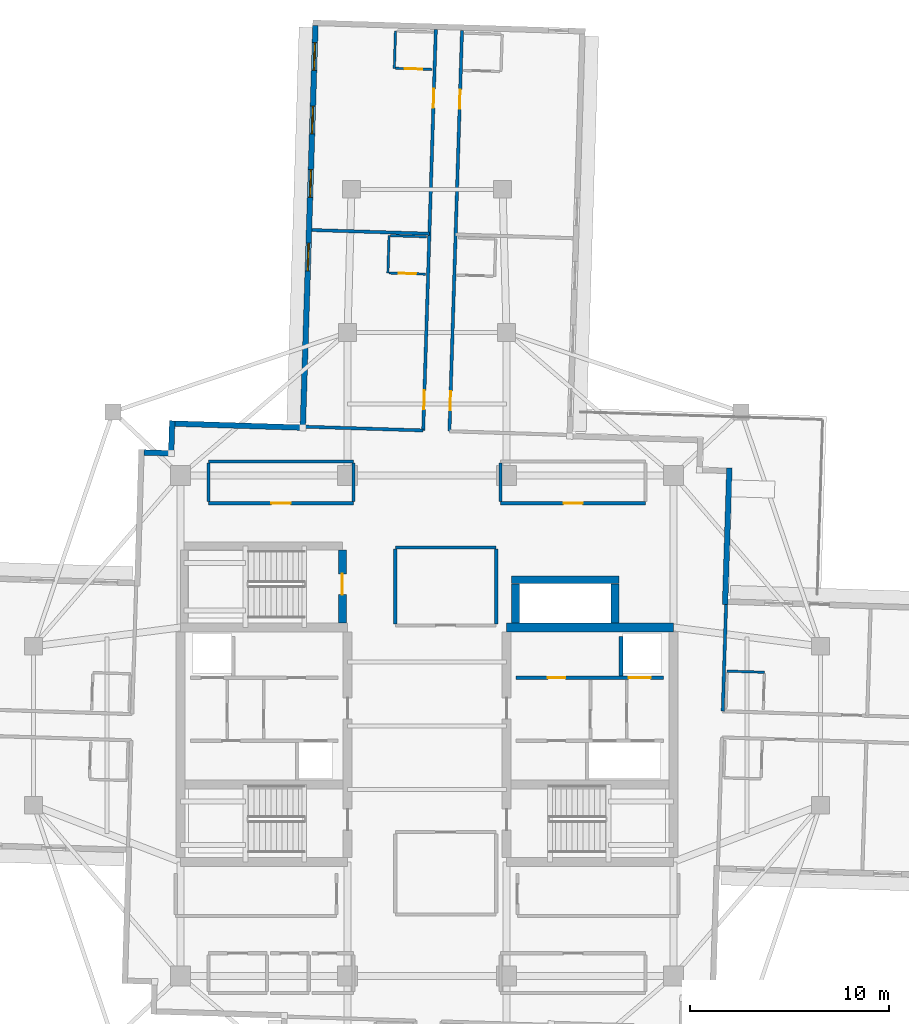
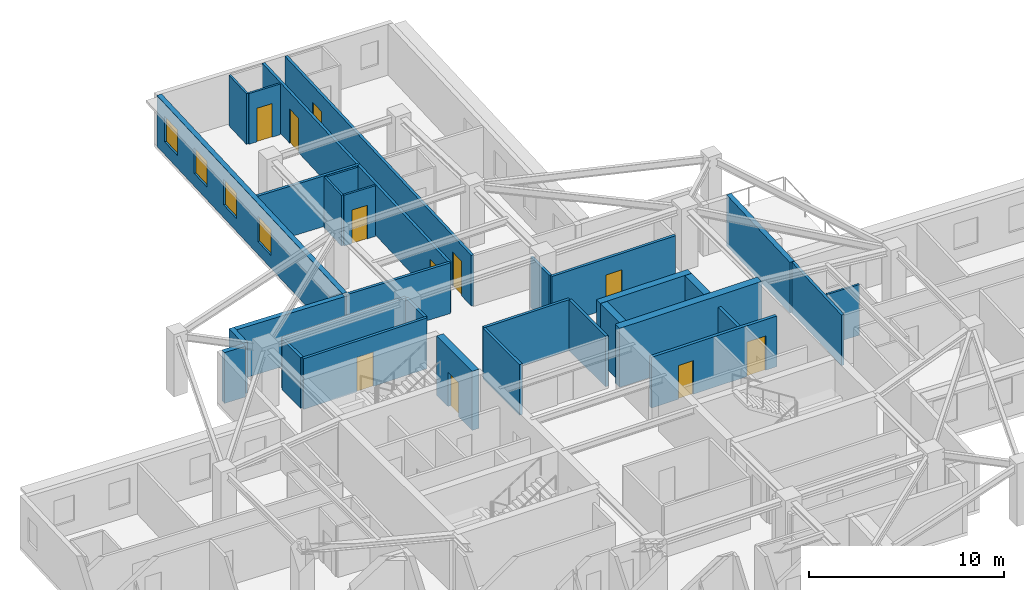
# One storey, part 7 of 12: 32 walls, 11 doors, 4 windows, 15 openings.
"""IFC4 building model written with IfcOpenShell, lengths in metres."""

from ifc_helpers import new_model, si_unit, direction, frame, frame_2d, origin, place, context, subcontext, project, spatial, rectangle, extrude, material, layer, layer_set, type_object, element, fill, save


model = new_model("IFC4")

# Units and contexts
model_context = context("Model", 3, precision=1e-05, world=origin(), true_north=direction((0.0, 1.0)))
body_context = subcontext(model_context, "Body", "Model", "MODEL_VIEW")
ifc_project = project(units=[si_unit("LENGTHUNIT", "METRE"), si_unit("AREAUNIT", "SQUARE_METRE"), si_unit("VOLUMEUNIT", "CUBIC_METRE"), si_unit("PLANEANGLEUNIT", "RADIAN"), si_unit("MASSUNIT", "GRAM", prefix="KILO")], contexts=[model_context])

# Site, building, storey
site_placement = place(None, origin())
site = spatial("IfcSite", under=ifc_project, at=site_placement, CompositionType="ELEMENT")
building_placement = place(site_placement, origin())
building = spatial("IfcBuilding", under=site, at=building_placement, Name="Qingluan Cross Belvedere", CompositionType="ELEMENT")
storey_placement = place(building_placement, frame((0.0, 0.0, 232.5)))
storey = spatial("IfcBuildingStorey", under=building, at=storey_placement, Name="L58", CompositionType="ELEMENT", Elevation=232.5)

# Wall
ifc_material_1 = material(Name="Concrete C50", Category="concrete")
ifc_layer_1 = layer(ifc_material_1, 0.449951171875, Name="CoreShearWall_450")
ifc_layer_set_1 = layer_set([ifc_layer_1], Name="Concrete C50")
wall_type_1 = type_object("IfcWallType", Name="CoreShearWall_450", PredefinedType="SHEAR", material=ifc_layer_set_1)
wall_1_placement = place(storey_placement, frame((4.0, 4.949951171875, 0.0), z_axis=(0.0, 0.0, 1.0), x_axis=(1.0, 0.0, 0.0)))
element("IfcWall", 1, at=wall_1_placement, inside=storey, type_object=wall_type_1, Name="Split core E shear wall L58-N", PredefinedType="SHEAR", context=body_context, shape_type="SweptSolid", body=[
    extrude(rectangle(XDim=8.39990234375, YDim=0.449951171875, at=frame_2d((4.199951171875, 0.0))), origin(), (0.0, 0.0, 1.0), 3.699951171875),
])

# Wall, opening, door
wall_2_placement = place(storey_placement, frame((-4.260009765625, 5.179931640625, 0.0), z_axis=(0.0, 0.0, 1.0), x_axis=(0.0, 1.0, 0.0)))
wall_2 = element("IfcWall", 2, at=wall_2_placement, inside=storey, type_object=wall_type_1, Name="Stair ST3 structural wall E L58", PredefinedType="SHEAR", context=body_context, shape_type="SweptSolid", body=[
    extrude(rectangle(XDim=3.655029296875, YDim=0.39990234375, at=frame_2d((1.82763671875, 0.0))), origin(), (0.0, 0.0, 1.0), 3.699951171875),
])
opening_1_placement = place(wall_2_placement, frame((1.419921875, 0.0, 0.0)))
opening_1 = element("IfcOpeningElement", 3, at=opening_1_placement, cuts=wall_2, Name="Opening FD-B11", PredefinedType="OPENING", context=body_context, shape_type="SweptSolid", body=[
    extrude(rectangle(XDim=1.050048828125, YDim=2.14990234375, at=frame_2d((0.52490234375, 1.074951171875))), frame((0.0, 0.2099609375, 0.0), z_axis=(0.0, -1.0, 0.0), x_axis=(1.0, 0.0, 0.0)), (0.0, 0.0, 1.0), 0.419921875),
])
ifc_material_2 = material(Name="Steel Class B smoke-seal fire door", Category="steel")
door_type_1 = type_object("IfcDoorType", Name="StairLobbyFireDoor_FDB", OperationType="NOTDEFINED", PredefinedType="DOOR", material=ifc_material_2)
door_1_placement = place(opening_1_placement, origin())
door_1 = element("IfcDoor", 4, at=door_1_placement, inside=storey, type_object=door_type_1, Name="Smoke-proof stair ST3 fire door L58", OperationType="SINGLE_SWING_RIGHT", OverallHeight=2.14990234375, OverallWidth=1.050048828125, PredefinedType="DOOR", context=body_context, shape_type="SweptSolid", body=[
    extrude(rectangle(XDim=1.050048828125, YDim=2.14990234375, at=frame_2d((0.52490234375, 1.074951171875))), frame((0.0, 0.02490234375, 0.0), z_axis=(0.0, -1.0, 0.0), x_axis=(1.0, 0.0, 0.0)), (0.0, 0.0, 1.0), 0.050048828125),
])
fill(opening_1, door_1)

# Walls
wall_3_placement = place(storey_placement, frame((4.449951171875, 5.179931640625, 0.0), z_axis=(0.0, 0.0, 1.0), x_axis=(0.0, 1.0, 0.0)))
element("IfcWall", 5, at=wall_3_placement, inside=storey, type_object=wall_type_1, Name="Express shuttle core wall L58-W", PredefinedType="SHEAR", context=body_context, shape_type="SweptSolid", body=[
    extrude(rectangle(XDim=1.9599609375, YDim=0.39990234375, at=frame_2d((0.97998046875, 0.0))), origin(), (0.0, 0.0, 1.0), 3.699951171875),
])
wall_4_placement = place(storey_placement, frame((4.25, 7.35009765625, 0.0), z_axis=(0.0, 0.0, 1.0), x_axis=(1.0, 0.0, 0.0)))
element("IfcWall", 6, at=wall_4_placement, inside=storey, type_object=wall_type_1, Name="Express shuttle core wall L58-N", PredefinedType="SHEAR", context=body_context, shape_type="SweptSolid", body=[
    extrude(rectangle(XDim=5.39990234375, YDim=0.39990234375, at=frame_2d((2.699951171875, 0.0))), origin(), (0.0, 0.0, 1.0), 3.699951171875),
])
wall_5_placement = place(storey_placement, frame((9.449951171875, 5.179931640625, 0.0), z_axis=(0.0, 0.0, 1.0), x_axis=(0.0, 1.0, 0.0)))
element("IfcWall", 7, at=wall_5_placement, inside=storey, type_object=wall_type_1, Name="Express shuttle core wall L58-E", PredefinedType="SHEAR", context=body_context, shape_type="SweptSolid", body=[
    extrude(rectangle(XDim=1.9599609375, YDim=0.39990234375, at=frame_2d((0.97998046875, 0.0))), origin(), (0.0, 0.0, 1.0), 3.699951171875),
])

# Wall, opening, door
ifc_material_3 = material(Name="Gypsum plasterboard on steel stud acoustic partition", Category="steel")
ifc_layer_2 = layer(ifc_material_3, 0.159912109375, Name="CorridorPartition_160")
ifc_layer_set_2 = layer_set([ifc_layer_2], Name="Gypsum plasterboard on steel stud acoustic partition")
wall_type_2 = type_object("IfcWallType", Name="CorridorPartition_160", PredefinedType="PARTITIONING", material=ifc_layer_set_2)
wall_6_placement = place(storey_placement, frame((-11.0, 11.199951171875, 0.0), z_axis=(0.0, 0.0, 1.0), x_axis=(1.0, 0.0, 0.0)))
wall_6 = element("IfcWall", 8, at=wall_6_placement, inside=storey, type_object=wall_type_2, Name="Partition L58:q_nw_occ:S", PredefinedType="PARTITIONING", context=body_context, shape_type="SweptSolid", body=[
    extrude(rectangle(XDim=7.300048828125, YDim=0.159912109375, at=frame_2d((3.64990234375, 0.0))), origin(), (0.0, 0.0, 1.0), 3.169921875),
])
opening_2_placement = place(wall_6_placement, frame((3.169921875, 0.0, 0.0)))
opening_2 = element("IfcOpeningElement", 9, at=opening_2_placement, cuts=wall_6, Name="Opening GD-10", PredefinedType="OPENING", context=body_context, shape_type="SweptSolid", body=[
    extrude(rectangle(XDim=0.9599609375, YDim=2.14990234375, at=frame_2d((0.47998046875, 1.074951171875))), frame((0.0, 0.08984375, 0.0), z_axis=(0.0, -1.0, 0.0), x_axis=(1.0, 0.0, 0.0)), (0.0, 0.0, 1.0), 0.179931640625),
])
ifc_material_4 = material(Name="Timber oak fire-rated acoustic guestroom door", Category="wood")
door_type_2 = type_object("IfcDoorType", Name="GuestEntryDoor_FD60", OperationType="NOTDEFINED", PredefinedType="DOOR", material=ifc_material_4)
door_2_placement = place(opening_2_placement, origin())
door_2 = element("IfcDoor", 10, at=door_2_placement, inside=storey, type_object=door_type_2, Name="Northwest sky reading salon L58 door", OperationType="SINGLE_SWING_RIGHT", OverallHeight=2.14990234375, OverallWidth=0.9599609375, PredefinedType="DOOR", context=body_context, shape_type="SweptSolid", body=[
    extrude(rectangle(XDim=0.9599609375, YDim=2.14990234375, at=frame_2d((0.47998046875, 1.074951171875))), frame((0.0, 0.02490234375, 0.0), z_axis=(0.0, -1.0, 0.0), x_axis=(1.0, 0.0, 0.0)), (0.0, 0.0, 1.0), 0.050048828125),
])
fill(opening_2, door_2)

# Walls
wall_7_placement = place(storey_placement, frame((-11.0, 13.300048828125, 0.0), z_axis=(0.0, 0.0, 1.0), x_axis=(1.0, 0.0, 0.0)))
element("IfcWall", 11, at=wall_7_placement, inside=storey, type_object=wall_type_2, Name="Partition L58:q_nw_occ:N", PredefinedType="PARTITIONING", context=body_context, shape_type="SweptSolid", body=[
    extrude(rectangle(XDim=7.300048828125, YDim=0.159912109375, at=frame_2d((3.64990234375, 0.0))), origin(), (0.0, 0.0, 1.0), 3.169921875),
])
for number, where, z_axis, x_axis, name in (
    (12, (-11.0, 11.284912109375, 0.0), (0.0, 0.0, 1.0), (0.0, 1.0, 0.0), "Partition L58:q_nw_occ:W"),
    (13, (-3.699951171875, 11.284912109375, 0.0), (0.0, 0.0, 1.0), (0.0, 1.0, 0.0), "Partition L58:q_nw_occ:E"),
):
    element("IfcWall", number, at=place(storey_placement, frame(where, z_axis=z_axis, x_axis=x_axis)), inside=storey, type_object=wall_type_2, Name=name, PredefinedType="PARTITIONING", context=body_context, shape_type="SweptSolid", body=[
        extrude(rectangle(XDim=1.93017578125, YDim=0.159912109375, at=frame_2d((0.965087890625, 0.0))), origin(), (0.0, 0.0, 1.0), 3.169921875),
    ])

# Wall, opening, door
wall_8_placement = place(storey_placement, frame((3.699951171875, 11.199951171875, 0.0), z_axis=(0.0, 0.0, 1.0), x_axis=(1.0, 0.0, 0.0)))
wall_8 = element("IfcWall", 14, at=wall_8_placement, inside=storey, type_object=wall_type_2, Name="Partition L58:q_ne:S", PredefinedType="PARTITIONING", context=body_context, shape_type="SweptSolid", body=[
    extrude(rectangle(XDim=7.300048828125, YDim=0.159912109375, at=frame_2d((3.64990234375, 0.0))), origin(), (0.0, 0.0, 1.0), 3.169921875),
])
opening_3_placement = place(wall_8_placement, frame((3.169921875, 0.0, 0.0)))
opening_3 = element("IfcOpeningElement", 15, at=opening_3_placement, cuts=wall_8, Name="Opening GD-10", PredefinedType="OPENING", context=body_context, shape_type="SweptSolid", body=[
    extrude(rectangle(XDim=0.9599609375, YDim=2.14990234375, at=frame_2d((0.47998046875, 1.074951171875))), frame((0.0, 0.08984375, 0.0), z_axis=(0.0, -1.0, 0.0), x_axis=(1.0, 0.0, 0.0)), (0.0, 0.0, 1.0), 0.179931640625),
])
door_3_placement = place(opening_3_placement, origin())
door_3 = element("IfcDoor", 16, at=door_3_placement, inside=storey, type_object=door_type_2, Name="Executive dining room L58 door", OperationType="SINGLE_SWING_LEFT", OverallHeight=2.14990234375, OverallWidth=0.9599609375, PredefinedType="DOOR", context=body_context, shape_type="SweptSolid", body=[
    extrude(rectangle(XDim=0.9599609375, YDim=2.14990234375, at=frame_2d((0.47998046875, 1.074951171875))), frame((0.0, 0.02490234375, 0.0), z_axis=(0.0, -1.0, 0.0), x_axis=(1.0, 0.0, 0.0)), (0.0, 0.0, 1.0), 0.050048828125),
])
fill(opening_3, door_3)

# Walls
wall_9_placement = place(storey_placement, frame((3.699951171875, 11.284912109375, 0.0), z_axis=(0.0, 0.0, 1.0), x_axis=(0.0, 1.0, 0.0)))
element("IfcWall", 17, at=wall_9_placement, inside=storey, type_object=wall_type_2, Name="Partition L58:q_ne:W", PredefinedType="PARTITIONING", context=body_context, shape_type="SweptSolid", body=[
    extrude(rectangle(XDim=1.93017578125, YDim=0.159912109375, at=frame_2d((0.965087890625, 0.0))), origin(), (0.0, 0.0, 1.0), 3.169921875),
])
wall_10_placement = place(storey_placement, frame((-1.60009765625, 8.97998046875, 0.0), z_axis=(0.0, 0.0, 1.0), x_axis=(1.0, 0.0, 0.0)))
element("IfcWall", 18, at=wall_10_placement, inside=storey, type_object=wall_type_2, Name="Partition L58:sky_tea_alcove:N", PredefinedType="PARTITIONING", context=body_context, shape_type="SweptSolid", body=[
    extrude(rectangle(XDim=5.080078125, YDim=0.159912109375, at=frame_2d((2.5400390625, 0.0))), origin(), (0.0, 0.0, 1.0), 3.169921875),
])
for number, where, z_axis, x_axis, name in (
    (19, (-1.60009765625, 5.135009765625, 0.0), (0.0, 0.0, 1.0), (0.0, 1.0, 0.0), "Partition L58:sky_tea_alcove:W"),
    (20, (3.47998046875, 5.135009765625, 0.0), (0.0, 0.0, 1.0), (0.0, 1.0, 0.0), "Partition L58:sky_tea_alcove:E"),
):
    element("IfcWall", number, at=place(storey_placement, frame(where, z_axis=z_axis, x_axis=x_axis)), inside=storey, type_object=wall_type_2, Name=name, PredefinedType="PARTITIONING", context=body_context, shape_type="SweptSolid", body=[
        extrude(rectangle(XDim=3.760009765625, YDim=0.159912109375, at=frame_2d((1.8798828125, 0.0))), origin(), (0.0, 0.0, 1.0), 3.169921875),
    ])
wall_11_placement = place(storey_placement, frame((14.88037109375, 0.73291015625, 0.0), z_axis=(0.0, 0.0, 1.0), x_axis=(0.031448993216, 0.999505358078, 0.0)))
element("IfcWall", 21, at=wall_11_placement, inside=storey, type_object=wall_type_2, Name="Partition L58:E:s0", PredefinedType="PARTITIONING", context=body_context, shape_type="SweptSolid", body=[
    extrude(rectangle(XDim=5.3720703125, YDim=0.159912109375, at=frame_2d((2.68603515625, 0.0))), origin(), (0.0, 0.0, 1.0), 3.169921875),
])

# Wall, openings, doors
wall_12_placement = place(storey_placement, frame((1.126220703125, 14.822021484375, 0.0), z_axis=(0.0, 0.0, 1.0), x_axis=(0.031403945422, 0.99950677447, 0.0)))
wall_12 = element("IfcWall", 22, at=wall_12_placement, inside=storey, type_object=wall_type_2, Name="Partition L58:N:c0", PredefinedType="PARTITIONING", context=body_context, shape_type="SweptSolid", body=[
    extrude(rectangle(XDim=20.181884765625, YDim=0.159912109375, at=frame_2d((10.0908203125, 0.0))), origin(), (0.0, 0.0, 1.0), 3.169921875),
])
opening_4_placement = place(wall_12_placement, frame((1.06494140625, 0.0, 0.0)))
opening_4 = element("IfcOpeningElement", 23, at=opening_4_placement, cuts=wall_12, Name="Opening GD-10", PredefinedType="OPENING", context=body_context, shape_type="SweptSolid", body=[
    extrude(rectangle(XDim=0.9599609375, YDim=2.14990234375, at=frame_2d((0.47998046875, 1.074951171875))), frame((0.0, 0.08984375, 0.0), z_axis=(0.0, -1.0, 0.0), x_axis=(1.0, 0.0, 0.0)), (0.0, 0.0, 1.0), 0.179931640625),
])
opening_5_placement = place(wall_12_placement, frame((16.239990234375, 0.0, 0.0)))
opening_5 = element("IfcOpeningElement", 24, at=opening_5_placement, cuts=wall_12, Name="Opening GD-10", PredefinedType="OPENING", context=body_context, shape_type="SweptSolid", body=[
    extrude(rectangle(XDim=0.9599609375, YDim=2.14990234375, at=frame_2d((0.47998046875, 1.074951171875))), frame((0.0, 0.08984375, 0.0), z_axis=(0.0, -1.0, 0.0), x_axis=(1.0, 0.0, 0.0)), (0.0, 0.0, 1.0), 0.179931640625),
])
door_4_placement = place(opening_4_placement, origin())
door_4 = element("IfcDoor", 25, at=door_4_placement, inside=storey, type_object=door_type_2, Name="Guest entry fire door 5809", OperationType="SINGLE_SWING_RIGHT", OverallHeight=2.14990234375, OverallWidth=0.9599609375, PredefinedType="DOOR", context=body_context, shape_type="SweptSolid", body=[
    extrude(rectangle(XDim=0.9599609375, YDim=2.14990234375, at=frame_2d((0.47998046875, 1.074951171875))), frame((0.0, 0.02490234375, 0.0), z_axis=(0.0, -1.0, 0.0), x_axis=(1.0, 0.0, 0.0)), (0.0, 0.0, 1.0), 0.050048828125),
])
fill(opening_4, door_4)
door_5_placement = place(opening_5_placement, origin())
door_5 = element("IfcDoor", 26, at=door_5_placement, inside=storey, type_object=door_type_2, Name="Guest entry fire door 5810", OperationType="SINGLE_SWING_RIGHT", OverallHeight=2.14990234375, OverallWidth=0.9599609375, PredefinedType="DOOR", context=body_context, shape_type="SweptSolid", body=[
    extrude(rectangle(XDim=0.9599609375, YDim=2.14990234375, at=frame_2d((0.47998046875, 1.074951171875))), frame((0.0, 0.02490234375, 0.0), z_axis=(0.0, -1.0, 0.0), x_axis=(1.0, 0.0, 0.0)), (0.0, 0.0, 1.0), 0.050048828125),
])
fill(opening_5, door_5)

wall_13_placement = place(storey_placement, frame((-0.193115234375, 14.86328125, 0.0), z_axis=(0.0, 0.0, 1.0), x_axis=(0.031415650687, 0.999506406629, 0.0)))
wall_13 = element("IfcWall", 27, at=wall_13_placement, inside=storey, type_object=wall_type_2, Name="Partition L58:N:c1", PredefinedType="PARTITIONING", context=body_context, shape_type="SweptSolid", body=[
    extrude(rectangle(XDim=20.18212890625, YDim=0.159912109375, at=frame_2d((10.091064453125, 0.0))), origin(), (0.0, 0.0, 1.0), 3.169921875),
])
opening_6_placement = place(wall_13_placement, frame((1.06494140625, 0.0, 0.0)))
opening_6 = element("IfcOpeningElement", 28, at=opening_6_placement, cuts=wall_13, Name="Opening GD-10", PredefinedType="OPENING", context=body_context, shape_type="SweptSolid", body=[
    extrude(rectangle(XDim=0.9599609375, YDim=2.14990234375, at=frame_2d((0.47998046875, 1.074951171875))), frame((0.0, 0.08984375, 0.0), z_axis=(0.0, -1.0, 0.0), x_axis=(1.0, 0.0, 0.0)), (0.0, 0.0, 1.0), 0.179931640625),
])
opening_7_placement = place(wall_13_placement, frame((16.239990234375, 0.0, 0.0)))
opening_7 = element("IfcOpeningElement", 29, at=opening_7_placement, cuts=wall_13, Name="Opening GD-10", PredefinedType="OPENING", context=body_context, shape_type="SweptSolid", body=[
    extrude(rectangle(XDim=0.9599609375, YDim=2.14990234375, at=frame_2d((0.47998046875, 1.074951171875))), frame((0.0, 0.08984375, 0.0), z_axis=(0.0, -1.0, 0.0), x_axis=(1.0, 0.0, 0.0)), (0.0, 0.0, 1.0), 0.179931640625),
])
door_6_placement = place(opening_6_placement, origin())
door_6 = element("IfcDoor", 30, at=door_6_placement, inside=storey, type_object=door_type_2, Name="Guest entry fire door 5811", OperationType="SINGLE_SWING_RIGHT", OverallHeight=2.14990234375, OverallWidth=0.9599609375, PredefinedType="DOOR", context=body_context, shape_type="SweptSolid", body=[
    extrude(rectangle(XDim=0.9599609375, YDim=2.14990234375, at=frame_2d((0.47998046875, 1.074951171875))), frame((0.0, 0.02490234375, 0.0), z_axis=(0.0, -1.0, 0.0), x_axis=(1.0, 0.0, 0.0)), (0.0, 0.0, 1.0), 0.050048828125),
])
fill(opening_6, door_6)
door_7_placement = place(opening_7_placement, origin())
door_7 = element("IfcDoor", 31, at=door_7_placement, inside=storey, type_object=door_type_2, Name="Guest entry fire door 5812", OperationType="SINGLE_SWING_RIGHT", OverallHeight=2.14990234375, OverallWidth=0.9599609375, PredefinedType="DOOR", context=body_context, shape_type="SweptSolid", body=[
    extrude(rectangle(XDim=0.9599609375, YDim=2.14990234375, at=frame_2d((0.47998046875, 1.074951171875))), frame((0.0, 0.02490234375, 0.0), z_axis=(0.0, -1.0, 0.0), x_axis=(1.0, 0.0, 0.0)), (0.0, 0.0, 1.0), 0.050048828125),
])
fill(opening_7, door_7)

# Walls
wall_14_placement = place(storey_placement, frame((-0.193115234375, 14.86328125, 0.0), z_axis=(0.0, 0.0, 1.0), x_axis=(-0.999506162708, 0.031423410194, 0.0)))
element("IfcWall", 32, at=wall_14_placement, inside=storey, type_object=wall_type_2, Name="Partition L58:N:s1", PredefinedType="PARTITIONING", context=body_context, shape_type="SweptSolid", body=[
    extrude(rectangle(XDim=6.06005859375, YDim=0.159912109375, at=frame_2d((3.030029296875, 0.0))), origin(), (0.0, 0.0, 1.0), 3.169921875),
])
wall_15_placement = place(storey_placement, frame((0.117919921875, 24.763427734375, 0.0), z_axis=(0.0, 0.0, 1.0), x_axis=(-0.999506095269, 0.031425555218, 0.0)))
element("IfcWall", 33, at=wall_15_placement, inside=storey, type_object=wall_type_2, Name="Partition L58:N:d1_0", PredefinedType="PARTITIONING", context=body_context, shape_type="SweptSolid", body=[
    extrude(rectangle(XDim=5.912109375, YDim=0.159912109375, at=frame_2d((2.9560546875, 0.0))), origin(), (0.0, 0.0, 1.0), 3.169921875),
])
ifc_material_5 = material(Name="Moisture-resistant gypsum board lining")
ifc_layer_3 = layer(ifc_material_5, 0.1201171875, Name="EnsuiteWetPartition_120")
ifc_layer_set_3 = layer_set([ifc_layer_3], Name="Moisture-resistant gypsum board lining")
wall_type_3 = type_object("IfcWallType", Name="EnsuiteWetPartition_120", PredefinedType="PARTITIONING", material=ifc_layer_set_3)
wall_16_placement = place(storey_placement, frame((15.10400390625, 2.751953125, 0.0), z_axis=(0.0, 0.0, 1.0), x_axis=(0.999505975261, -0.031429371883, 0.0)))
element("IfcWall", 34, at=wall_16_placement, inside=storey, type_object=wall_type_3, Name="Partition L58:E:bn0_0", PredefinedType="PARTITIONING", context=body_context, shape_type="SweptSolid", body=[
    extrude(rectangle(XDim=1.8798828125, YDim=0.1201171875, at=frame_2d((0.93994140625, 0.0))), origin(), (0.0, 0.0, 1.0), 3.169921875),
])

# Wall, opening, door
wall_17_placement = place(storey_placement, frame((-1.9052734375, 22.7861328125, 0.0), z_axis=(0.0, 0.0, 1.0), x_axis=(0.999507221803, -0.031389704724, 0.0)))
wall_17 = element("IfcWall", 35, at=wall_17_placement, inside=storey, type_object=wall_type_3, Name="Partition L58:N:bs1_0", PredefinedType="PARTITIONING", context=body_context, shape_type="SweptSolid", body=[
    extrude(rectangle(XDim=1.820068359375, YDim=0.1201171875, at=frame_2d((0.91015625, 0.0))), origin(), (0.0, 0.0, 1.0), 3.169921875),
])
opening_8_placement = place(wall_17_placement, frame((0.469970703125, 0.0, 0.0)))
opening_8 = element("IfcOpeningElement", 36, at=opening_8_placement, cuts=wall_17, Name="Opening BD-09", PredefinedType="OPENING", context=body_context, shape_type="SweptSolid", body=[
    extrude(rectangle(XDim=0.8798828125, YDim=2.10009765625, at=frame_2d((0.43994140625, 1.050048828125))), frame((0.0, 0.070068359375, 0.0), z_axis=(0.0, -1.0, 0.0), x_axis=(1.0, 0.0, 0.0)), (0.0, 0.0, 1.0), 0.14013671875),
])
ifc_material_6 = material(Name="Moisture-sealed timber en-suite door", Category="wood")
door_type_3 = type_object("IfcDoorType", Name="BathroomDoor_880", OperationType="NOTDEFINED", PredefinedType="DOOR", material=ifc_material_6)
door_8_placement = place(opening_8_placement, origin())
door_8 = element("IfcDoor", 37, at=door_8_placement, inside=storey, type_object=door_type_3, Name="Bathroom door 5811", OperationType="SINGLE_SWING_LEFT", OverallHeight=2.10009765625, OverallWidth=0.8798828125, PredefinedType="DOOR", context=body_context, shape_type="SweptSolid", body=[
    extrude(rectangle(XDim=0.8798828125, YDim=2.10009765625, at=frame_2d((0.43994140625, 1.050048828125))), frame((0.0, 0.02490234375, 0.0), z_axis=(0.0, -1.0, 0.0), x_axis=(1.0, 0.0, 0.0)), (0.0, 0.0, 1.0), 0.050048828125),
])
fill(opening_8, door_8)

# Walls
wall_18_placement = place(storey_placement, frame((-1.84619140625, 24.665283203125, 0.0), z_axis=(0.0, 0.0, 1.0), x_axis=(0.999503004171, -0.03152371574, 0.0)))
element("IfcWall", 38, at=wall_18_placement, inside=storey, type_object=wall_type_3, Name="Partition L58:N:bw1_0", PredefinedType="PARTITIONING", context=body_context, shape_type="SweptSolid", body=[
    extrude(rectangle(XDim=1.820068359375, YDim=0.1201171875, at=frame_2d((0.91015625, 0.0))), origin(), (0.0, 0.0, 1.0), 3.169921875),
])
wall_19_placement = place(storey_placement, frame((-1.97021484375, 22.7880859375, 0.0), z_axis=(0.0, 0.0, 1.0), x_axis=(0.031425292588, 0.999506103526, 0.0)))
element("IfcWall", 39, at=wall_19_placement, inside=storey, type_object=wall_type_3, Name="Partition L58:N:bc1_0", PredefinedType="PARTITIONING", context=body_context, shape_type="SweptSolid", body=[
    extrude(rectangle(XDim=1.880126953125, YDim=0.1201171875, at=frame_2d((0.93994140625, 0.0))), origin(), (0.0, 0.0, 1.0), 3.169921875),
])

# Wall, opening, door
wall_20_placement = place(storey_placement, frame((-1.58154296875, 33.0859375, 0.0), z_axis=(0.0, 0.0, 1.0), x_axis=(0.999507221803, -0.031389704724, 0.0)))
wall_20 = element("IfcWall", 40, at=wall_20_placement, inside=storey, type_object=wall_type_3, Name="Partition L58:N:bs1_1", PredefinedType="PARTITIONING", context=body_context, shape_type="SweptSolid", body=[
    extrude(rectangle(XDim=1.820068359375, YDim=0.1201171875, at=frame_2d((0.91015625, 0.0))), origin(), (0.0, 0.0, 1.0), 3.169921875),
])
opening_9_placement = place(wall_20_placement, frame((0.469970703125, 0.0, 0.0)))
opening_9 = element("IfcOpeningElement", 41, at=opening_9_placement, cuts=wall_20, Name="Opening BD-09", PredefinedType="OPENING", context=body_context, shape_type="SweptSolid", body=[
    extrude(rectangle(XDim=0.8798828125, YDim=2.10009765625, at=frame_2d((0.43994140625, 1.050048828125))), frame((0.0, 0.070068359375, 0.0), z_axis=(0.0, -1.0, 0.0), x_axis=(1.0, 0.0, 0.0)), (0.0, 0.0, 1.0), 0.14013671875),
])
door_9_placement = place(opening_9_placement, origin())
door_9 = element("IfcDoor", 42, at=door_9_placement, inside=storey, type_object=door_type_3, Name="Bathroom door 5812", OperationType="SINGLE_SWING_LEFT", OverallHeight=2.10009765625, OverallWidth=0.8798828125, PredefinedType="DOOR", context=body_context, shape_type="SweptSolid", body=[
    extrude(rectangle(XDim=0.8798828125, YDim=2.10009765625, at=frame_2d((0.43994140625, 1.050048828125))), frame((0.0, 0.02490234375, 0.0), z_axis=(0.0, -1.0, 0.0), x_axis=(1.0, 0.0, 0.0)), (0.0, 0.0, 1.0), 0.050048828125),
])
fill(opening_9, door_9)

# Wall
wall_21_placement = place(storey_placement, frame((-1.646484375, 33.087890625, 0.0), z_axis=(0.0, 0.0, 1.0), x_axis=(0.031425292588, 0.999506103526, 0.0)))
element("IfcWall", 43, at=wall_21_placement, inside=storey, type_object=wall_type_3, Name="Partition L58:N:bc1_1", PredefinedType="PARTITIONING", context=body_context, shape_type="SweptSolid", body=[
    extrude(rectangle(XDim=1.880126953125, YDim=0.1201171875, at=frame_2d((0.93994140625, 0.0))), origin(), (0.0, 0.0, 1.0), 3.169921875),
])

# Wall, openings, windows
ifc_material_7 = material(Name="Precast concrete C45", Category="concrete")
ifc_layer_4 = layer(ifc_material_7, 0.280029296875, Name="PrecastFacadeWall_280")
ifc_layer_set_4 = layer_set([ifc_layer_4], Name="Precast concrete C45")
wall_type_4 = type_object("IfcWallType", Name="PrecastFacadeWall_280", PredefinedType="STANDARD", material=ifc_layer_set_4)
wall_22_placement = place(storey_placement, frame((-5.6162109375, 35.23388671875, 0.0), z_axis=(0.0, 0.0, 1.0), x_axis=(-0.031398187845, -0.999506955354, 0.0)))
wall_22 = element("IfcWall", 44, at=wall_22_placement, inside=storey, type_object=wall_type_4, Name="Facade wall L58-NB", PredefinedType="STANDARD", context=body_context, shape_type="SweptSolid", body=[
    extrude(rectangle(XDim=20.10009765625, YDim=0.280029296875, at=frame_2d((10.050048828125, 0.0))), origin(), (0.0, 0.0, 1.0), 3.179931640625),
])
opening_10_placement = place(wall_22_placement, frame((0.85009765625, 0.0, 0.800048828125)))
opening_10 = element("IfcOpeningElement", 45, at=opening_10_placement, cuts=wall_22, Name="Opening W-01", PredefinedType="OPENING", context=body_context, shape_type="SweptSolid", body=[
    extrude(rectangle(XDim=1.39990234375, YDim=1.60009765625, at=frame_2d((0.699951171875, 0.800048828125))), frame((0.0, 0.14990234375, 0.0), z_axis=(0.0, -1.0, 0.0), x_axis=(1.0, 0.0, 0.0)), (0.0, 0.0, 1.0), 0.300048828125),
])
opening_11_placement = place(wall_22_placement, frame((4.050048828125, 0.0, 0.800048828125)))
opening_11 = element("IfcOpeningElement", 46, at=opening_11_placement, cuts=wall_22, Name="Opening W-01", PredefinedType="OPENING", context=body_context, shape_type="SweptSolid", body=[
    extrude(rectangle(XDim=1.39990234375, YDim=1.60009765625, at=frame_2d((0.699951171875, 0.800048828125))), frame((0.0, 0.14990234375, 0.0), z_axis=(0.0, -1.0, 0.0), x_axis=(1.0, 0.0, 0.0)), (0.0, 0.0, 1.0), 0.300048828125),
])
opening_12_placement = place(wall_22_placement, frame((7.25, 0.0, 0.800048828125)))
opening_12 = element("IfcOpeningElement", 47, at=opening_12_placement, cuts=wall_22, Name="Opening W-01", PredefinedType="OPENING", context=body_context, shape_type="SweptSolid", body=[
    extrude(rectangle(XDim=1.39990234375, YDim=1.60009765625, at=frame_2d((0.699951171875, 0.800048828125))), frame((0.0, 0.14990234375, 0.0), z_axis=(0.0, -1.0, 0.0), x_axis=(1.0, 0.0, 0.0)), (0.0, 0.0, 1.0), 0.300048828125),
])
opening_13_placement = place(wall_22_placement, frame((10.949951171875, 0.0, 0.800048828125)))
opening_13 = element("IfcOpeningElement", 48, at=opening_13_placement, cuts=wall_22, Name="Opening W-01", PredefinedType="OPENING", context=body_context, shape_type="SweptSolid", body=[
    extrude(rectangle(XDim=1.39990234375, YDim=1.60009765625, at=frame_2d((0.699951171875, 0.800048828125))), frame((0.0, 0.14990234375, 0.0), z_axis=(0.0, -1.0, 0.0), x_axis=(1.0, 0.0, 0.0)), (0.0, 0.0, 1.0), 0.300048828125),
])
ifc_material_8 = material(Name="Thermally broken triple Low-E glass in aluminium frame", Category="aluminium")
window_type = type_object("IfcWindowType", Name="TriRibbonWin_1400x1600", PartitioningType="SINGLE_PANEL", PredefinedType="WINDOW", material=ifc_material_8)
window_1_placement = place(opening_10_placement, origin())
window_1 = element("IfcWindow", 49, at=window_1_placement, inside=storey, type_object=window_type, Name="Ribbon window L58-NB-1", OverallHeight=1.60009765625, OverallWidth=1.39990234375, PartitioningType="SINGLE_PANEL", PredefinedType="WINDOW", context=body_context, shape_type="SweptSolid", body=[
    extrude(rectangle(XDim=1.39990234375, YDim=1.60009765625, at=frame_2d((0.699951171875, 0.800048828125))), frame((0.0, 0.030029296875, 0.0), z_axis=(0.0, -1.0, 0.0), x_axis=(1.0, 0.0, 0.0)), (0.0, 0.0, 1.0), 0.06005859375),
])
fill(opening_10, window_1)
window_2_placement = place(opening_11_placement, origin())
window_2 = element("IfcWindow", 50, at=window_2_placement, inside=storey, type_object=window_type, Name="Ribbon window L58-NB-2", OverallHeight=1.60009765625, OverallWidth=1.39990234375, PartitioningType="SINGLE_PANEL", PredefinedType="WINDOW", context=body_context, shape_type="SweptSolid", body=[
    extrude(rectangle(XDim=1.39990234375, YDim=1.60009765625, at=frame_2d((0.699951171875, 0.800048828125))), frame((0.0, 0.030029296875, 0.0), z_axis=(0.0, -1.0, 0.0), x_axis=(1.0, 0.0, 0.0)), (0.0, 0.0, 1.0), 0.06005859375),
])
fill(opening_11, window_2)
window_3_placement = place(opening_12_placement, origin())
window_3 = element("IfcWindow", 51, at=window_3_placement, inside=storey, type_object=window_type, Name="Ribbon window L58-NB-3", OverallHeight=1.60009765625, OverallWidth=1.39990234375, PartitioningType="SINGLE_PANEL", PredefinedType="WINDOW", context=body_context, shape_type="SweptSolid", body=[
    extrude(rectangle(XDim=1.39990234375, YDim=1.60009765625, at=frame_2d((0.699951171875, 0.800048828125))), frame((0.0, 0.030029296875, 0.0), z_axis=(0.0, -1.0, 0.0), x_axis=(1.0, 0.0, 0.0)), (0.0, 0.0, 1.0), 0.06005859375),
])
fill(opening_12, window_3)
window_4_placement = place(opening_13_placement, origin())
window_4 = element("IfcWindow", 52, at=window_4_placement, inside=storey, type_object=window_type, Name="Ribbon window L58-NB-4", OverallHeight=1.60009765625, OverallWidth=1.39990234375, PartitioningType="SINGLE_PANEL", PredefinedType="WINDOW", context=body_context, shape_type="SweptSolid", body=[
    extrude(rectangle(XDim=1.39990234375, YDim=1.60009765625, at=frame_2d((0.699951171875, 0.800048828125))), frame((0.0, 0.030029296875, 0.0), z_axis=(0.0, -1.0, 0.0), x_axis=(1.0, 0.0, 0.0)), (0.0, 0.0, 1.0), 0.06005859375),
])
fill(opening_13, window_4)

# Walls
wall_23_placement = place(storey_placement, frame((14.99951171875, 6.11181640625, 0.0), z_axis=(0.0, 0.0, 1.0), x_axis=(0.031389189386, 0.999507237988, 0.0)))
element("IfcWall", 53, at=wall_23_placement, inside=storey, type_object=wall_type_4, Name="Corner wall L58-NE1", PredefinedType="STANDARD", context=body_context, shape_type="SweptSolid", body=[
    extrude(rectangle(XDim=6.860107421875, YDim=0.280029296875, at=frame_2d((3.43017578125, 0.0))), origin(), (0.0, 0.0, 1.0), 3.179931640625),
])
wall_24_placement = place(storey_placement, frame((-14.235107421875, 13.75390625, 0.0), z_axis=(0.0, 0.0, 1.0), x_axis=(0.999506398264, -0.031415916822, 0.0)))
element("IfcWall", 54, at=wall_24_placement, inside=storey, type_object=wall_type_4, Name="Corner wall L58-NW2", PredefinedType="STANDARD", context=body_context, shape_type="SweptSolid", body=[
    extrude(rectangle(XDim=1.219970703125, YDim=0.280029296875, at=frame_2d((0.60986328125, 0.0))), origin(), (0.0, 0.0, 1.0), 3.179931640625),
])
wall_25_placement = place(storey_placement, frame((-12.871337890625, 13.85107421875, 0.0), z_axis=(0.0, 0.0, 1.0), x_axis=(0.031412596484, 0.999506502621, 0.0)))
element("IfcWall", 55, at=wall_25_placement, inside=storey, type_object=wall_type_4, Name="Corner wall L58-NW3", PredefinedType="STANDARD", context=body_context, shape_type="SweptSolid", body=[
    extrude(rectangle(XDim=1.5, YDim=0.280029296875, at=frame_2d((0.75, 0.0))), origin(), (0.0, 0.0, 1.0), 3.179931640625),
])
wall_26_placement = place(storey_placement, frame((-12.688720703125, 15.2060546875, 0.0), z_axis=(0.0, 0.0, 1.0), x_axis=(0.999507262922, -0.031388395416, 0.0)))
element("IfcWall", 56, at=wall_26_placement, inside=storey, type_object=wall_type_4, Name="Corner wall L58-NW4", PredefinedType="STANDARD", context=body_context, shape_type="SweptSolid", body=[
    extrude(rectangle(XDim=6.30029296875, YDim=0.280029296875, at=frame_2d((3.150146484375, 0.0))), origin(), (0.0, 0.0, 1.0), 3.179931640625),
])

# Wall, openings, doors
ifc_material_9 = material(Name="Concrete C40", Category="concrete")
ifc_layer_5 = layer(ifc_material_9, 0.219970703125, Name="ShaftEnclosureWall_250")
ifc_layer_set_5 = layer_set([ifc_layer_5], Name="Concrete C40")
wall_type_5 = type_object("IfcWallType", Name="ShaftEnclosureWall_250", PredefinedType="SOLIDWALL", material=ifc_layer_set_5)
wall_27_placement = place(storey_placement, frame((4.47998046875, 2.409912109375, 0.0), z_axis=(0.0, 0.0, 1.0), x_axis=(1.0, 0.0, 0.0)))
wall_27 = element("IfcWall", 57, at=wall_27_placement, inside=storey, type_object=wall_type_5, Name="Core-E north hoistway wall L58", PredefinedType="SOLIDWALL", context=body_context, shape_type="SweptSolid", body=[
    extrude(rectangle(XDim=7.419921875, YDim=0.179931640625, at=frame_2d((3.7099609375, 0.0))), origin(), (0.0, 0.0, 1.0), 3.169921875),
])
opening_14_placement = place(wall_27_placement, frame((5.669921875, 0.0, 0.0)))
opening_14 = element("IfcOpeningElement", 58, at=opening_14_placement, cuts=wall_27, Name="Opening LD-11", PredefinedType="OPENING", context=body_context, shape_type="SweptSolid", body=[
    extrude(rectangle(XDim=1.10009765625, YDim=2.14990234375, at=frame_2d((0.550048828125, 1.074951171875))), frame((0.0, 0.099853515625, 0.0), z_axis=(0.0, -1.0, 0.0), x_axis=(1.0, 0.0, 0.0)), (0.0, 0.0, 1.0), 0.199951171875),
])
opening_15_placement = place(wall_27_placement, frame((1.60009765625, 0.0, 0.0)))
opening_15 = element("IfcOpeningElement", 59, at=opening_15_placement, cuts=wall_27, Name="Opening FD-B10", PredefinedType="OPENING", context=body_context, shape_type="SweptSolid", body=[
    extrude(rectangle(XDim=0.8798828125, YDim=2.10009765625, at=frame_2d((0.43994140625, 1.050048828125))), frame((0.0, 0.099853515625, 0.0), z_axis=(0.0, -1.0, 0.0), x_axis=(1.0, 0.0, 0.0)), (0.0, 0.0, 1.0), 0.199951171875),
])
ifc_material_10 = material(Name="Brushed stainless steel centre-opening lift landing door", Category="steel")
door_type_4 = type_object("IfcDoorType", Name="LiftLandingSlidingDoor_1100", OperationType="DOUBLE_DOOR_SLIDING", PredefinedType="DOOR", material=ifc_material_10)
door_10_placement = place(opening_14_placement, origin())
door_10 = element("IfcDoor", 60, at=door_10_placement, inside=storey, type_object=door_type_4, Name="Lift landing sliding door FL2 L58", OperationType="DOUBLE_DOOR_SLIDING", OverallHeight=2.14990234375, OverallWidth=1.10009765625, PredefinedType="DOOR", context=body_context, shape_type="SweptSolid", body=[
    extrude(rectangle(XDim=1.10009765625, YDim=2.14990234375, at=frame_2d((0.550048828125, 1.074951171875))), frame((0.0, 0.02490234375, 0.0), z_axis=(0.0, -1.0, 0.0), x_axis=(1.0, 0.0, 0.0)), (0.0, 0.0, 1.0), 0.050048828125),
])
fill(opening_14, door_10)
ifc_material_11 = material(Name="Steel Class B service fire door", Category="steel")
door_type_5 = type_object("IfcDoorType", Name="RiserServiceFireDoor_FDB", OperationType="NOTDEFINED", PredefinedType="DOOR", material=ifc_material_11)
door_11_placement = place(opening_15_placement, origin())
door_11 = element("IfcDoor", 61, at=door_11_placement, inside=storey, type_object=door_type_5, Name="Pantry room door E L58", OperationType="SINGLE_SWING_RIGHT", OverallHeight=2.10009765625, OverallWidth=0.8798828125, PredefinedType="DOOR", context=body_context, shape_type="SweptSolid", body=[
    extrude(rectangle(XDim=0.8798828125, YDim=2.10009765625, at=frame_2d((0.43994140625, 1.050048828125))), frame((0.0, 0.02490234375, 0.0), z_axis=(0.0, -1.0, 0.0), x_axis=(1.0, 0.0, 0.0)), (0.0, 0.0, 1.0), 0.050048828125),
])
fill(opening_15, door_11)

# Wall
wall_28_placement = place(storey_placement, frame((9.760009765625, 2.5, 0.0), z_axis=(0.0, 0.0, 1.0), x_axis=(0.0, 1.0, 0.0)))
element("IfcWall", 62, at=wall_28_placement, inside=storey, type_object=wall_type_5, Name="Hoistway enclosure divider FL2W L58", PredefinedType="SOLIDWALL", context=body_context, shape_type="SweptSolid", body=[
    extrude(rectangle(XDim=1.989990234375, YDim=0.179931640625, at=frame_2d((0.9951171875, 0.0))), origin(), (0.0, 0.0, 1.0), 3.169921875),
])

save(model, "model.ifc")
